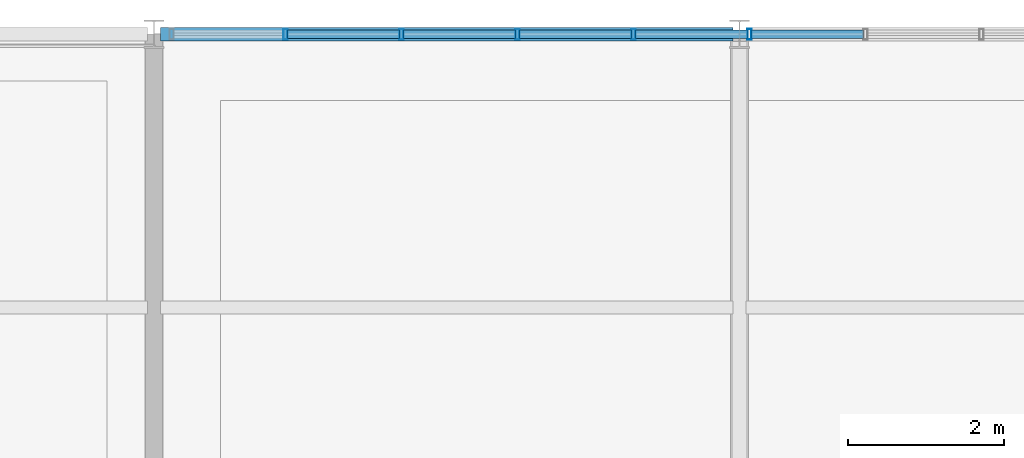
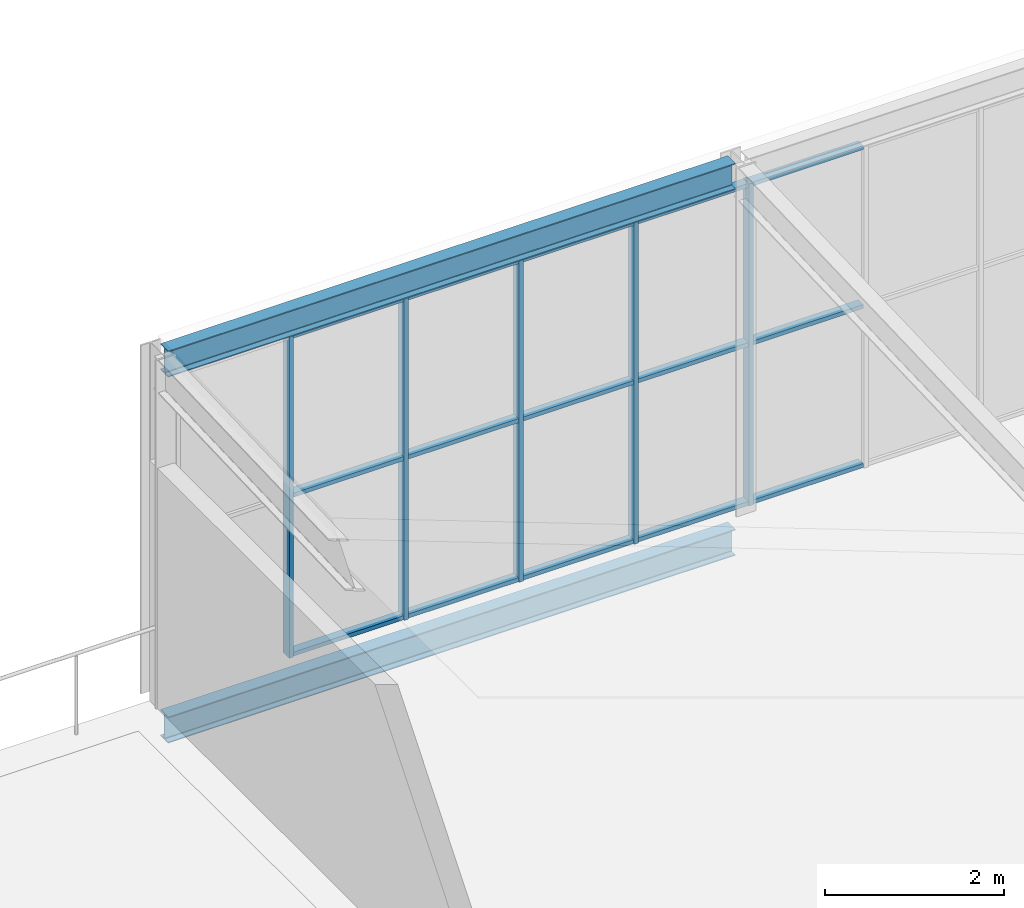
# One storey, part 11 of 27: 20 members, 2 beams, 1 element without a shape of its own.
"""IFC4 building model written with IfcOpenShell, lengths in metres."""

import ifcopenshell
import ifcopenshell.guid

model = None  # the IFC model being written
_history = None  # IfcOwnerHistory: only IFC2X3 demands one
_inside = {}  # id of a spatial element -> (the spatial element, [elements in it])
_under = {}  # id of a project, library or spatial element -> (it, [spatial elements below it])
_declared = {}  # id of a project -> (the project, [libraries it declares])
_typed = {}  # id of a type object -> (the type object, [elements of that type])
_made_of = {}  # id of a material, layer set ... -> (it, [elements and type objects made of it])


def new_model(schema):
    """Start an empty IFC model of exactly this schema.

    Asked for "IFC4X3", IfcOpenShell would pick the latest addendum, in which some entities
    have other attributes; the version numbers below select the first issue.
    IFC2X3 requires an IfcOwnerHistory on every rooted entity: one is made here for all.
    """
    global model, _history
    if schema == "IFC4X3":
        model = ifcopenshell.file(schema_version=(4, 3, 0, 0))
    else:
        model = ifcopenshell.file(schema=schema)
    _inside.clear()
    _under.clear()
    _declared.clear()
    _typed.clear()
    _made_of.clear()
    _history = None
    if model.schema == "IFC2X3":
        org = make("IfcOrganization", Name="unknown")
        user = make(
            "IfcPersonAndOrganization",
            ThePerson=make("IfcPerson", FamilyName="unknown"),
            TheOrganization=org,
        )
        app = make(
            "IfcApplication",
            ApplicationDeveloper=org,
            Version="unknown",
            ApplicationFullName="unknown",
            ApplicationIdentifier="unknown",
        )
        _history = make(
            "IfcOwnerHistory",
            OwningUser=user,
            OwningApplication=app,
            ChangeAction="ADDED",
            CreationDate=0,
        )
    return model


def make(cls, **values):
    """One entity of the class cls with the attributes given. An attribute that is None is left unset."""
    return model.create_entity(
        cls, **{name: value for name, value in values.items() if value is not None}
    )


def rooted(cls, **values):
    """An entity with a GlobalId (a new one), such as an element, a storey or a relation."""
    return make(cls, GlobalId=ifcopenshell.guid.new(), OwnerHistory=_history, **values)


def si_unit(unit_type, name, prefix=None):
    """IfcSIUnit, for example si_unit("LENGTHUNIT", "METRE", prefix="MILLI")."""
    return make("IfcSIUnit", UnitType=unit_type, Prefix=prefix, Name=name)


def assignment(units):
    """IfcUnitAssignment: the units of a project."""
    return None if units is None else make("IfcUnitAssignment", Units=units)


def point(xyz):
    """IfcCartesianPoint."""
    return None if xyz is None else make("IfcCartesianPoint", Coordinates=xyz)


def direction(xyz):
    """IfcDirection."""
    return None if xyz is None else make("IfcDirection", DirectionRatios=xyz)


def frame(location, z_axis=None, x_axis=None):
    """IfcAxis2Placement3D, a coordinate frame: its origin and axes. An axis left out is left unset."""
    return make(
        "IfcAxis2Placement3D",
        Location=point(location),
        Axis=direction(z_axis),
        RefDirection=direction(x_axis),
    )


def frame_2d(location, x_axis=None):
    """IfcAxis2Placement2D, a coordinate frame in the plane: its origin and x axis."""
    return make(
        "IfcAxis2Placement2D", Location=point(location), RefDirection=direction(x_axis)
    )


def origin():
    """The frame at (0, 0, 0) with its axes left unset."""
    return frame((0.0, 0.0, 0.0))


def origin_2d():
    """The frame at (0, 0) in the plane with its x axis left unset."""
    return frame_2d((0.0, 0.0))


def place(relative_to, where):
    """IfcLocalPlacement: puts the frame where relative to a parent placement (None: the world)."""
    return make(
        "IfcLocalPlacement", PlacementRelTo=relative_to, RelativePlacement=where
    )


def context(
    kind, dimensions, precision=None, world=None, true_north=None, identifier=None
):
    """IfcGeometricRepresentationContext, for example the 3D "Model" context."""
    return make(
        "IfcGeometricRepresentationContext",
        ContextIdentifier=identifier,
        ContextType=kind,
        CoordinateSpaceDimension=dimensions,
        Precision=precision,
        WorldCoordinateSystem=world,
        TrueNorth=true_north,
    )


def subcontext(parent, identifier, kind, view, scale=None):
    """IfcGeometricRepresentationSubContext, for example "Body" below "Model"."""
    return make(
        "IfcGeometricRepresentationSubContext",
        ContextIdentifier=identifier,
        ContextType=kind,
        ParentContext=parent,
        TargetScale=scale,
        TargetView=view,
    )


def project(units=None, contexts=None):
    """IfcProject with its units and contexts."""
    return rooted(
        "IfcProject",
        Name="project",
        RepresentationContexts=contexts,
        UnitsInContext=assignment(units),
    )


def spatial(cls, under=None, at=None, **own):
    """A site, building, storey or space (cls), placed at a placement, below another one or the project."""
    s = rooted(cls, ObjectPlacement=at, **own)
    if under is not None:
        _under.setdefault(under.id(), (under, []))[1].append(s)
    return s


def profile(cls, at=None, kind="AREA", **sizes):
    """A parametric profile (cls). Its sizes go by their IFC names, for example OverallWidth=200.0."""
    return make(cls, ProfileType=kind, Position=at, **sizes)


def hollow_rectangle(**sizes):
    """IfcRectangleHollowProfileDef."""
    return profile("IfcRectangleHollowProfileDef", **sizes)


def i_section(**sizes):
    """IfcIShapeProfileDef."""
    return profile("IfcIShapeProfileDef", **sizes)


def extrude(swept, where, along, depth):
    """IfcExtrudedAreaSolid: the profile swept, set in the frame where, extruded along a direction by depth."""
    return make(
        "IfcExtrudedAreaSolid",
        SweptArea=swept,
        Position=where,
        ExtrudedDirection=direction(along),
        Depth=depth,
    )


def shape(context_of_items, identifier, shape_type, items):
    """IfcShapeRepresentation: the items that make up one representation, for example the "Body"."""
    return make(
        "IfcShapeRepresentation",
        ContextOfItems=context_of_items,
        RepresentationIdentifier=identifier,
        RepresentationType=shape_type,
        Items=items,
    )


def material(Name=None, Category=None):
    """IfcMaterial."""
    return make("IfcMaterial", Name=Name, Category=Category)


def layer(
    of_material, thickness, ventilated=None, Name=None, Category=None, Priority=None
):
    """IfcMaterialLayer: one layer of a wall or slab, of a material (None: an air gap)."""
    return make(
        "IfcMaterialLayer",
        Material=of_material,
        LayerThickness=thickness,
        IsVentilated=ventilated,
        Name=Name,
        Category=Category,
        Priority=Priority,
    )


def layer_set(layers, Name=None):
    """IfcMaterialLayerSet."""
    return make("IfcMaterialLayerSet", MaterialLayers=layers, LayerSetName=Name)


def material_profile(
    of_material, cross_section, Name=None, Category=None, Priority=None
):
    """IfcMaterialProfile: a cross section and its material."""
    return make(
        "IfcMaterialProfile",
        Name=Name,
        Material=of_material,
        Profile=cross_section,
        Priority=Priority,
        Category=Category,
    )


def profile_set(profiles, Name=None, composite=None):
    """IfcMaterialProfileSet."""
    return make(
        "IfcMaterialProfileSet",
        Name=Name,
        MaterialProfiles=profiles,
        CompositeProfile=composite,
    )


def made_of(thing, what):
    """Note that an element or type object is made of a material, layer set ...; save() writes the relation."""
    if what is not None:
        _made_of.setdefault(what.id(), (what, []))[1].append(thing)
    return thing


def type_object(cls, material=None, **own):
    """A type object (cls), such as IfcWallType, which elements share."""
    return made_of(rooted(cls, **own), material)


def element(
    cls,
    number,
    at=None,
    inside=None,
    cuts=None,
    type_object=None,
    material=None,
    context=None,
    identifier="Body",
    shape_type=None,
    held_by="IfcProductDefinitionShape",
    body=None,
    shapes=None,
    **own,
):
    """One element of the class cls, such as IfcWall. Its Tag is "e" and its number.

    at: its placement. inside: the storey or other place that contains it. cuts: it is an
    opening in that element (IfcRelVoidsElement). A single representation is given by context,
    identifier, shape_type and body (its items); several are given by shapes. held_by: the class
    of the entity that holds the representations. save() writes the other relations.
    """
    e = rooted(cls, Tag="e%d" % number, ObjectPlacement=at, **own)
    if body is not None:
        shapes = [shape(context, identifier, shape_type, body)]
    if shapes is not None:
        e.Representation = make(held_by, Representations=shapes)
    if inside is not None:
        _inside.setdefault(inside.id(), (inside, []))[1].append(e)
    if cuts is not None:
        rooted(
            "IfcRelVoidsElement", RelatingBuildingElement=cuts, RelatedOpeningElement=e
        )
    if type_object is not None:
        _typed.setdefault(type_object.id(), (type_object, []))[1].append(e)
    return made_of(e, material)


def aggregate(whole, parts):
    """IfcRelAggregates: a whole, such as a stair, and the parts it consists of."""
    return rooted("IfcRelAggregates", RelatingObject=whole, RelatedObjects=parts)


def save(model, path):
    """Write the relations noted so far, then the file.

    IfcRelAggregates (storeys below a building ...), IfcRelContainedInSpatialStructure (elements
    in a storey), IfcRelDefinesByType, IfcRelAssociatesMaterial and IfcRelDeclares: one each for
    every whole, place, type object, material and project.
    """
    for whole, parts in _under.values():
        aggregate(whole, parts)
    for where, things in _inside.values():
        rooted(
            "IfcRelContainedInSpatialStructure",
            RelatedElements=things,
            RelatingStructure=where,
        )
    for kind, things in _typed.values():
        rooted("IfcRelDefinesByType", RelatedObjects=things, RelatingType=kind)
    for what, things in _made_of.values():
        rooted("IfcRelAssociatesMaterial", RelatedObjects=things, RelatingMaterial=what)
    for by, libraries in _declared.values():
        rooted("IfcRelDeclares", RelatingContext=by, RelatedDefinitions=libraries)
    model.write(path)


model = new_model("IFC4")

# Units and contexts
model_context = context("Model", 3, precision=1e-05, world=origin(), true_north=direction((0.0, 1.0)))
body_context = subcontext(model_context, "Body", "Model", "MODEL_VIEW")
ifc_project = project(units=[si_unit("LENGTHUNIT", "METRE"), si_unit("AREAUNIT", "SQUARE_METRE"), si_unit("VOLUMEUNIT", "CUBIC_METRE"), si_unit("PLANEANGLEUNIT", "RADIAN"), si_unit("MASSUNIT", "GRAM", prefix="KILO")], contexts=[model_context])

# Site, building, storey
site_placement = place(None, origin())
site = spatial("IfcSite", under=ifc_project, at=site_placement, CompositionType="ELEMENT")
building_placement = place(site_placement, origin())
building = spatial("IfcBuilding", under=site, at=building_placement, Name="Solvenia Promenade Tram Depot", CompositionType="ELEMENT")
storey_placement = place(building_placement, frame((0.0, 0.0, 13.5)))
storey = spatial("IfcBuildingStorey", under=building, at=storey_placement, Name="L03", CompositionType="ELEMENT", Elevation=13.5)

# Curtain wall, members
ifc_material_1 = material(Name="Anodized aluminium AW-6063 T6", Category="aluminium")
ifc_layer = layer(ifc_material_1, 0.199951171875, Name="Anodized aluminium AW-6063 T6", Category="aluminium")
ifc_layer_set = layer_set([ifc_layer], Name="Anodized aluminium AW-6063 T6")
curtain_wall_type = type_object("IfcCurtainWallType", Name="CW-OCC-1500", PredefinedType="NOTDEFINED", material=ifc_layer_set)
curtain_wall_placement = place(storey_placement, origin())
curtain_wall = element("IfcCurtainWall", 1, at=curtain_wall_placement, inside=storey, type_object=curtain_wall_type, Name="Curtain Wall CW-L03-V2N", PredefinedType="NOTDEFINED")
ifc_material_profile_1 = material_profile(ifc_material_1, hollow_rectangle(XDim=0.139892578125, YDim=0.054931640625, WallThickness=0.00390625, at=origin_2d()), Name="ALU-M4", Category="aluminium")
ifc_profile_set_1 = profile_set([ifc_material_profile_1], Name="Anodized aluminium AW-6063 T6")
member_type_1 = type_object("IfcMemberType", Name="CWM-Mullion-4", PredefinedType="MULLION", material=ifc_profile_set_1)
member_1_placement = place(storey_placement, frame((121.685791015625, 66.0, 0.0), z_axis=(0.0, 0.0, 1.0), x_axis=(0.0, 1.0, 0.0)))
member_1 = element("IfcMember", 2, at=member_1_placement, type_object=member_type_1, Name="CW-8 mullion 2", PredefinedType="MULLION", context=body_context, shape_type="SweptSolid", body=[
    extrude(hollow_rectangle(XDim=0.139892578125, YDim=0.054931640625, WallThickness=0.00390625, at=origin_2d()), origin(), (0.0, 0.0, 1.0), 4.39990234375),
])
member_2_placement = place(storey_placement, frame((123.17138671875, 66.0, 0.0), z_axis=(0.0, 0.0, 1.0), x_axis=(0.0, 1.0, 0.0)))
member_2 = element("IfcMember", 3, at=member_2_placement, type_object=member_type_1, Name="CW-8 mullion 3", PredefinedType="MULLION", context=body_context, shape_type="SweptSolid", body=[
    extrude(hollow_rectangle(XDim=0.139892578125, YDim=0.054931640625, WallThickness=0.00390625, at=origin_2d()), origin(), (0.0, 0.0, 1.0), 4.39990234375),
])
member_3_placement = place(storey_placement, frame((124.6572265625, 66.0, 0.0), z_axis=(0.0, 0.0, 1.0), x_axis=(0.0, 1.0, 0.0)))
member_3 = element("IfcMember", 4, at=member_3_placement, type_object=member_type_1, Name="CW-8 mullion 4", PredefinedType="MULLION", context=body_context, shape_type="SweptSolid", body=[
    extrude(hollow_rectangle(XDim=0.139892578125, YDim=0.054931640625, WallThickness=0.00390625, at=origin_2d()), origin(), (0.0, 0.0, 1.0), 4.39990234375),
])
member_4_placement = place(storey_placement, frame((126.142822265625, 66.0, 0.0), z_axis=(0.0, 0.0, 1.0), x_axis=(0.0, 1.0, 0.0)))
member_4 = element("IfcMember", 5, at=member_4_placement, type_object=member_type_1, Name="CW-8 mullion 5", PredefinedType="MULLION", context=body_context, shape_type="SweptSolid", body=[
    extrude(hollow_rectangle(XDim=0.139892578125, YDim=0.054931640625, WallThickness=0.00390625, at=origin_2d()), origin(), (0.0, 0.0, 1.0), 4.39990234375),
])
member_5_placement = place(storey_placement, frame((127.628662109375, 66.0, 0.0), z_axis=(0.0, 0.0, 1.0), x_axis=(0.0, 1.0, 0.0)))
member_5 = element("IfcMember", 6, at=member_5_placement, type_object=member_type_1, Name="CW-8 mullion 6", PredefinedType="MULLION", context=body_context, shape_type="SweptSolid", body=[
    extrude(hollow_rectangle(XDim=0.139892578125, YDim=0.054931640625, WallThickness=0.00390625, at=origin_2d()), origin(), (0.0, 0.0, 1.0), 4.39990234375),
])
ifc_material_profile_2 = material_profile(ifc_material_1, hollow_rectangle(XDim=0.110107421875, YDim=0.054931640625, WallThickness=0.00390625, at=origin_2d()), Name="ALU-T4", Category="aluminium")
ifc_profile_set_2 = profile_set([ifc_material_profile_2], Name="Anodized aluminium AW-6063 T6")
member_type_2 = type_object("IfcMemberType", Name="CWT-Transom-4", PredefinedType="USERDEFINED", material=ifc_profile_set_2)
member_6_placement = place(storey_placement, frame((121.713134765625, 66.0, 0.027587890625), z_axis=(1.0, 0.0, 0.0), x_axis=(0.0, 1.0, 0.0)))
member_6 = element("IfcMember", 7, at=member_6_placement, type_object=member_type_2, Name="CW-8 transom 2.1", ObjectType="TRANSOM", PredefinedType="USERDEFINED", context=body_context, shape_type="SweptSolid", body=[
    extrude(hollow_rectangle(XDim=0.110107421875, YDim=0.054931640625, WallThickness=0.00390625, at=origin_2d()), origin(), (0.0, 0.0, 1.0), 1.430908203125),
])
member_7_placement = place(storey_placement, frame((121.713134765625, 66.0, 2.199951171875), z_axis=(1.0, 0.0, 0.0), x_axis=(0.0, 1.0, 0.0)))
member_7 = element("IfcMember", 8, at=member_7_placement, type_object=member_type_2, Name="CW-8 transom 2.2", ObjectType="TRANSOM", PredefinedType="USERDEFINED", context=body_context, shape_type="SweptSolid", body=[
    extrude(hollow_rectangle(XDim=0.110107421875, YDim=0.054931640625, WallThickness=0.00390625, at=origin_2d()), origin(), (0.0, 0.0, 1.0), 1.430908203125),
])
member_8_placement = place(storey_placement, frame((121.713134765625, 66.0, 4.37255859375), z_axis=(1.0, 0.0, 0.0), x_axis=(0.0, 1.0, 0.0)))
member_8 = element("IfcMember", 9, at=member_8_placement, type_object=member_type_2, Name="CW-8 transom 2.3", ObjectType="TRANSOM", PredefinedType="USERDEFINED", context=body_context, shape_type="SweptSolid", body=[
    extrude(hollow_rectangle(XDim=0.110107421875, YDim=0.054931640625, WallThickness=0.00390625, at=origin_2d()), origin(), (0.0, 0.0, 1.0), 1.430908203125),
])
member_9_placement = place(storey_placement, frame((123.198974609375, 66.0, 0.027587890625), z_axis=(1.0, 0.0, 0.0), x_axis=(0.0, 1.0, 0.0)))
member_9 = element("IfcMember", 10, at=member_9_placement, type_object=member_type_2, Name="CW-8 transom 3.1", ObjectType="TRANSOM", PredefinedType="USERDEFINED", context=body_context, shape_type="SweptSolid", body=[
    extrude(hollow_rectangle(XDim=0.110107421875, YDim=0.054931640625, WallThickness=0.00390625, at=origin_2d()), origin(), (0.0, 0.0, 1.0), 1.4306640625),
])
member_10_placement = place(storey_placement, frame((123.198974609375, 66.0, 2.199951171875), z_axis=(1.0, 0.0, 0.0), x_axis=(0.0, 1.0, 0.0)))
member_10 = element("IfcMember", 11, at=member_10_placement, type_object=member_type_2, Name="CW-8 transom 3.2", ObjectType="TRANSOM", PredefinedType="USERDEFINED", context=body_context, shape_type="SweptSolid", body=[
    extrude(hollow_rectangle(XDim=0.110107421875, YDim=0.054931640625, WallThickness=0.00390625, at=origin_2d()), origin(), (0.0, 0.0, 1.0), 1.4306640625),
])
member_11_placement = place(storey_placement, frame((123.198974609375, 66.0, 4.37255859375), z_axis=(1.0, 0.0, 0.0), x_axis=(0.0, 1.0, 0.0)))
member_11 = element("IfcMember", 12, at=member_11_placement, type_object=member_type_2, Name="CW-8 transom 3.3", ObjectType="TRANSOM", PredefinedType="USERDEFINED", context=body_context, shape_type="SweptSolid", body=[
    extrude(hollow_rectangle(XDim=0.110107421875, YDim=0.054931640625, WallThickness=0.00390625, at=origin_2d()), origin(), (0.0, 0.0, 1.0), 1.4306640625),
])
member_12_placement = place(storey_placement, frame((124.6845703125, 66.0, 0.027587890625), z_axis=(1.0, 0.0, 0.0), x_axis=(0.0, 1.0, 0.0)))
member_12 = element("IfcMember", 13, at=member_12_placement, type_object=member_type_2, Name="CW-8 transom 4.1", ObjectType="TRANSOM", PredefinedType="USERDEFINED", context=body_context, shape_type="SweptSolid", body=[
    extrude(hollow_rectangle(XDim=0.110107421875, YDim=0.054931640625, WallThickness=0.00390625, at=origin_2d()), origin(), (0.0, 0.0, 1.0), 1.430908203125),
])
member_13_placement = place(storey_placement, frame((124.6845703125, 66.0, 2.199951171875), z_axis=(1.0, 0.0, 0.0), x_axis=(0.0, 1.0, 0.0)))
member_13 = element("IfcMember", 14, at=member_13_placement, type_object=member_type_2, Name="CW-8 transom 4.2", ObjectType="TRANSOM", PredefinedType="USERDEFINED", context=body_context, shape_type="SweptSolid", body=[
    extrude(hollow_rectangle(XDim=0.110107421875, YDim=0.054931640625, WallThickness=0.00390625, at=origin_2d()), origin(), (0.0, 0.0, 1.0), 1.430908203125),
])
member_14_placement = place(storey_placement, frame((124.6845703125, 66.0, 4.37255859375), z_axis=(1.0, 0.0, 0.0), x_axis=(0.0, 1.0, 0.0)))
member_14 = element("IfcMember", 15, at=member_14_placement, type_object=member_type_2, Name="CW-8 transom 4.3", ObjectType="TRANSOM", PredefinedType="USERDEFINED", context=body_context, shape_type="SweptSolid", body=[
    extrude(hollow_rectangle(XDim=0.110107421875, YDim=0.054931640625, WallThickness=0.00390625, at=origin_2d()), origin(), (0.0, 0.0, 1.0), 1.430908203125),
])
member_15_placement = place(storey_placement, frame((126.17041015625, 66.0, 0.027587890625), z_axis=(1.0, 0.0, 0.0), x_axis=(0.0, 1.0, 0.0)))
member_15 = element("IfcMember", 16, at=member_15_placement, type_object=member_type_2, Name="CW-8 transom 5.1", ObjectType="TRANSOM", PredefinedType="USERDEFINED", context=body_context, shape_type="SweptSolid", body=[
    extrude(hollow_rectangle(XDim=0.110107421875, YDim=0.054931640625, WallThickness=0.00390625, at=origin_2d()), origin(), (0.0, 0.0, 1.0), 1.4306640625),
])
member_16_placement = place(storey_placement, frame((126.17041015625, 66.0, 2.199951171875), z_axis=(1.0, 0.0, 0.0), x_axis=(0.0, 1.0, 0.0)))
member_16 = element("IfcMember", 17, at=member_16_placement, type_object=member_type_2, Name="CW-8 transom 5.2", ObjectType="TRANSOM", PredefinedType="USERDEFINED", context=body_context, shape_type="SweptSolid", body=[
    extrude(hollow_rectangle(XDim=0.110107421875, YDim=0.054931640625, WallThickness=0.00390625, at=origin_2d()), origin(), (0.0, 0.0, 1.0), 1.4306640625),
])
member_17_placement = place(storey_placement, frame((126.17041015625, 66.0, 4.37255859375), z_axis=(1.0, 0.0, 0.0), x_axis=(0.0, 1.0, 0.0)))
member_17 = element("IfcMember", 18, at=member_17_placement, type_object=member_type_2, Name="CW-8 transom 5.3", ObjectType="TRANSOM", PredefinedType="USERDEFINED", context=body_context, shape_type="SweptSolid", body=[
    extrude(hollow_rectangle(XDim=0.110107421875, YDim=0.054931640625, WallThickness=0.00390625, at=origin_2d()), origin(), (0.0, 0.0, 1.0), 1.4306640625),
])
member_18_placement = place(storey_placement, frame((127.656005859375, 66.0, 0.027587890625), z_axis=(1.0, 0.0, 0.0), x_axis=(0.0, 1.0, 0.0)))
member_18 = element("IfcMember", 19, at=member_18_placement, type_object=member_type_2, Name="CW-8 transom 6.1", ObjectType="TRANSOM", PredefinedType="USERDEFINED", context=body_context, shape_type="SweptSolid", body=[
    extrude(hollow_rectangle(XDim=0.110107421875, YDim=0.054931640625, WallThickness=0.00390625, at=origin_2d()), origin(), (0.0, 0.0, 1.0), 1.4306640625),
])
member_19_placement = place(storey_placement, frame((127.656005859375, 66.0, 2.199951171875), z_axis=(1.0, 0.0, 0.0), x_axis=(0.0, 1.0, 0.0)))
member_19 = element("IfcMember", 20, at=member_19_placement, type_object=member_type_2, Name="CW-8 transom 6.2", ObjectType="TRANSOM", PredefinedType="USERDEFINED", context=body_context, shape_type="SweptSolid", body=[
    extrude(hollow_rectangle(XDim=0.110107421875, YDim=0.054931640625, WallThickness=0.00390625, at=origin_2d()), origin(), (0.0, 0.0, 1.0), 1.4306640625),
])
member_20_placement = place(storey_placement, frame((127.656005859375, 66.0, 4.37255859375), z_axis=(1.0, 0.0, 0.0), x_axis=(0.0, 1.0, 0.0)))
member_20 = element("IfcMember", 21, at=member_20_placement, type_object=member_type_2, Name="CW-8 transom 6.3", ObjectType="TRANSOM", PredefinedType="USERDEFINED", context=body_context, shape_type="SweptSolid", body=[
    extrude(hollow_rectangle(XDim=0.110107421875, YDim=0.054931640625, WallThickness=0.00390625, at=origin_2d()), origin(), (0.0, 0.0, 1.0), 1.4306640625),
])
aggregate(curtain_wall, [member_1, member_2, member_3, member_4, member_5, member_6, member_7, member_8, member_9, member_10, member_11, member_12, member_13, member_14, member_15, member_16, member_17, member_18, member_19, member_20])

# Beams
ifc_material_2 = material(Name="Structural steel ASTM A992 Gr. 50", Category="steel")
ifc_material_profile_3 = material_profile(ifc_material_2, i_section(OverallWidth=0.172119140625, OverallDepth=0.35791015625, WebThickness=0.0078125, FlangeThickness=0.01318359375, FilletRadius=0.010986328125, at=origin_2d()), Name="W360x57", Category="steel")
ifc_profile_set_3 = profile_set([ifc_material_profile_3], Name="Structural steel ASTM A992 Gr. 50")
beam_type = type_object("IfcBeamType", Name="Spandrel-W360x57", PredefinedType="SPANDREL", material=ifc_profile_set_3)
for number, where, z_axis, x_axis, name in (
    (22, (120.0849609375, 66.0, -0.4189453125), (1.0, 0.0, 0.0), (0.0, 1.0, 0.0), "Perimeter Spandrel BM-L03-0605"),
    (23, (120.0849609375, 66.0, 4.5810546875), (1.0, 0.0, 0.0), (0.0, 1.0, 0.0), "Control Hub Roof Girder BM-L03-0893"),
):
    element("IfcBeam", number, at=place(storey_placement, frame(where, z_axis=z_axis, x_axis=x_axis)), inside=storey, type_object=beam_type, Name=name, PredefinedType="SPANDREL", context=body_context, shape_type="SweptSolid", body=[
        extrude(i_section(OverallWidth=0.172119140625, OverallDepth=0.35791015625, WebThickness=0.0078125, FlangeThickness=0.01318359375, FilletRadius=0.010986328125, at=origin_2d()), origin(), (0.0, 0.0, 1.0), 7.330078125),
    ])

save(model, "model.ifc")
